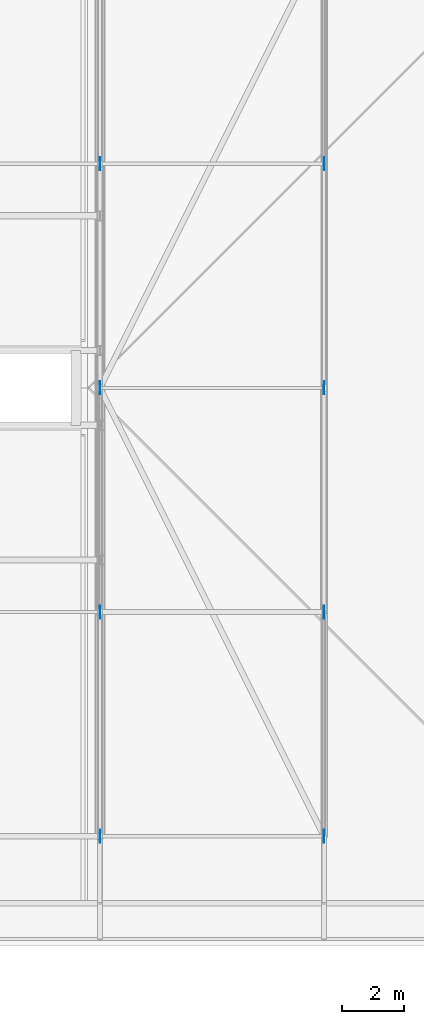
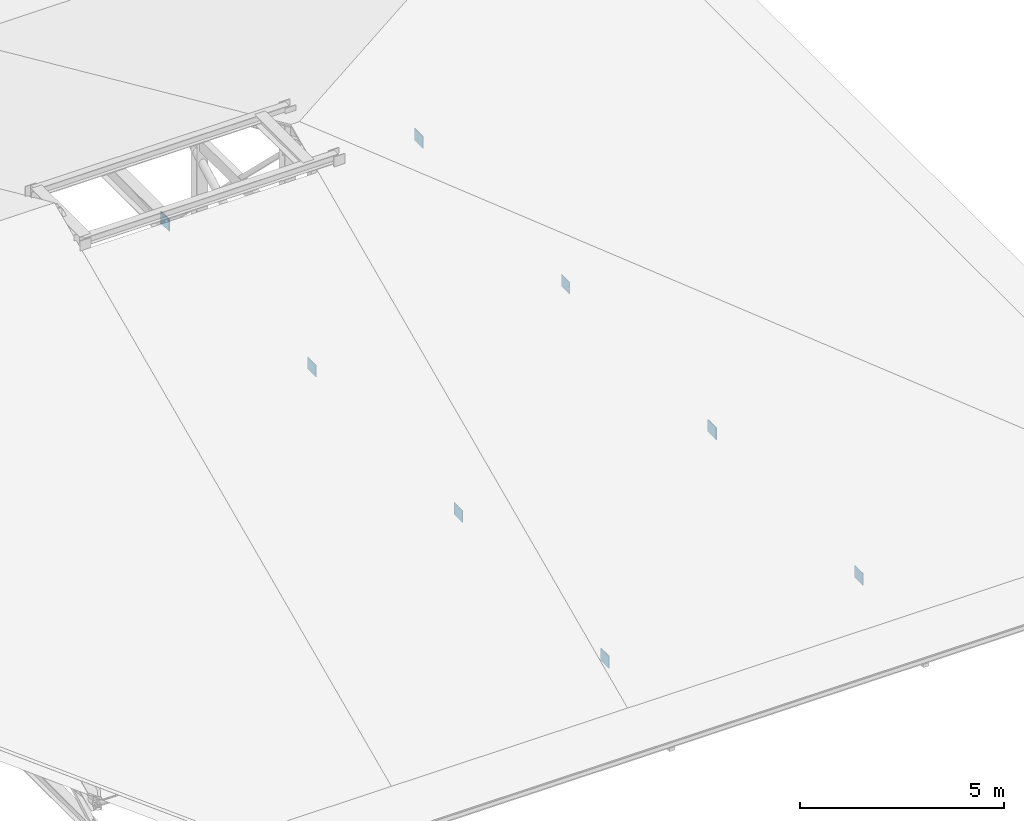
# One storey, part 68 of 100: 8 plates.
"""IFC4 building model written with IfcOpenShell, lengths in metres."""

from ifc_helpers import new_model, si_unit, direction, frame, origin, origin_2d, place, context, subcontext, project, spatial, rectangle, extrude, material, layer, layer_set, type_object, element, save


model = new_model("IFC4")

# Units and contexts
model_context = context("Model", 3, precision=1e-05, world=origin(), true_north=direction((0.0, 1.0)))
body_context = subcontext(model_context, "Body", "Model", "MODEL_VIEW")
ifc_project = project(units=[si_unit("LENGTHUNIT", "METRE"), si_unit("AREAUNIT", "SQUARE_METRE"), si_unit("VOLUMEUNIT", "CUBIC_METRE"), si_unit("PLANEANGLEUNIT", "RADIAN"), si_unit("MASSUNIT", "GRAM", prefix="KILO")], contexts=[model_context])

# Site, building, storey
site_placement = place(None, origin())
site = spatial("IfcSite", under=ifc_project, at=site_placement, CompositionType="ELEMENT")
building_placement = place(site_placement, origin())
building = spatial("IfcBuilding", under=site, at=building_placement, Name="Steenspoor Specialist Clinic", CompositionType="ELEMENT")
storey_placement = place(building_placement, frame((0.0, 0.0, 9.0)))
storey = spatial("IfcBuildingStorey", under=building, at=storey_placement, Name="L02", CompositionType="ELEMENT", Elevation=9.0)

# Plates
ifc_material = material(Name="Steel A572 Grade 50", Category="steel")
ifc_layer_1 = layer(ifc_material, 0.010009765625)
ifc_layer_set_1 = layer_set([ifc_layer_1], Name="Steel A572 Grade 50")
plate_type_1 = type_object("IfcPlateType", Name="PL-CAP-10", PredefinedType="SHEET", material=ifc_layer_set_1)
for number, where, z_axis, x_axis, name in (
    (1, (146.800048828125, 20.25, 0.19140625), (0.0, 0.0, 1.0), (1.0, 0.0, 0.0), "Truss Gusset Plate GP-10"),
    (2, (154.0, 27.449951171875, 0.15283203125), (0.0, 0.0, 1.0), (1.0, 0.0, 0.0), "Truss Gusset Plate GP-10"),
):
    element("IfcPlate", number, at=place(storey_placement, frame(where, z_axis=z_axis, x_axis=x_axis)), inside=storey, type_object=plate_type_1, Name=name, PredefinedType="SHEET", context=body_context, shape_type="SweptSolid", body=[
        extrude(rectangle(XDim=0.010009765625, YDim=0.419921875, at=origin_2d()), origin(), (0.0, 0.0, 1.0), 0.360107421875),
    ])
ifc_layer_2 = layer(ifc_material, 0.01611328125)
ifc_layer_set_2 = layer_set([ifc_layer_2], Name="Steel A572 Grade 50")
plate_type_2 = type_object("IfcPlateType", Name="PL-GUS-16", PredefinedType="SHEET", material=ifc_layer_set_2)
for number, where, z_axis, x_axis, name in (
    (3, (146.800048828125, 27.449951171875, 0.19140625), (0.0, 0.0, 1.0), (1.0, 0.0, 0.0), "Truss Gusset Plate GP-16"),
    (4, (154.0, 13.050048828125, 0.15283203125), (0.0, 0.0, 1.0), (1.0, 0.0, 0.0), "Truss Gusset Plate GP-16"),
    (5, (154.0, 34.64990234375, 0.15283203125), (0.0, 0.0, 1.0), (1.0, 0.0, 0.0), "Truss Gusset Plate GP-16"),
):
    element("IfcPlate", number, at=place(storey_placement, frame(where, z_axis=z_axis, x_axis=x_axis)), inside=storey, type_object=plate_type_2, Name=name, PredefinedType="SHEET", context=body_context, shape_type="SweptSolid", body=[
        extrude(rectangle(XDim=0.01611328125, YDim=0.419921875, at=origin_2d()), origin(), (0.0, 0.0, 1.0), 0.360107421875),
    ])
ifc_layer_3 = layer(ifc_material, 0.02392578125)
ifc_layer_set_3 = layer_set([ifc_layer_3], Name="Steel A572 Grade 50")
plate_type_3 = type_object("IfcPlateType", Name="PL-GUS-24", PredefinedType="SHEET", material=ifc_layer_set_3)
for number, where, z_axis, x_axis, name in (
    (6, (146.800048828125, 13.050048828125, 0.19140625), (0.0, 0.0, 1.0), (1.0, 0.0, 0.0), "Truss Gusset Plate GP-24"),
    (7, (146.800048828125, 34.64990234375, 0.19140625), (0.0, 0.0, 1.0), (1.0, 0.0, 0.0), "Truss Gusset Plate GP-24"),
    (8, (154.0, 20.25, 0.15283203125), (0.0, 0.0, 1.0), (1.0, 0.0, 0.0), "Truss Gusset Plate GP-24"),
):
    element("IfcPlate", number, at=place(storey_placement, frame(where, z_axis=z_axis, x_axis=x_axis)), inside=storey, type_object=plate_type_3, Name=name, PredefinedType="SHEET", context=body_context, shape_type="SweptSolid", body=[
        extrude(rectangle(XDim=0.02392578125, YDim=0.419921875, at=origin_2d()), origin(), (0.0, 0.0, 1.0), 0.360107421875),
    ])

save(model, "model.ifc")
